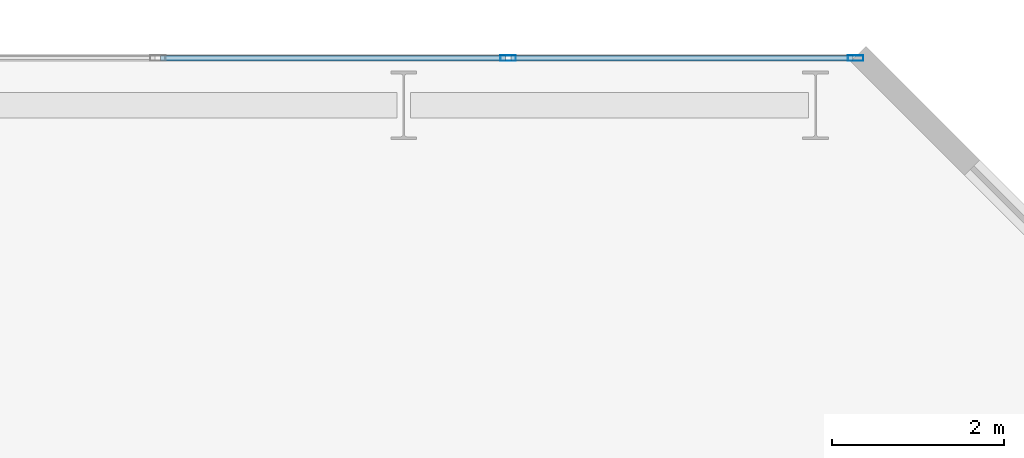
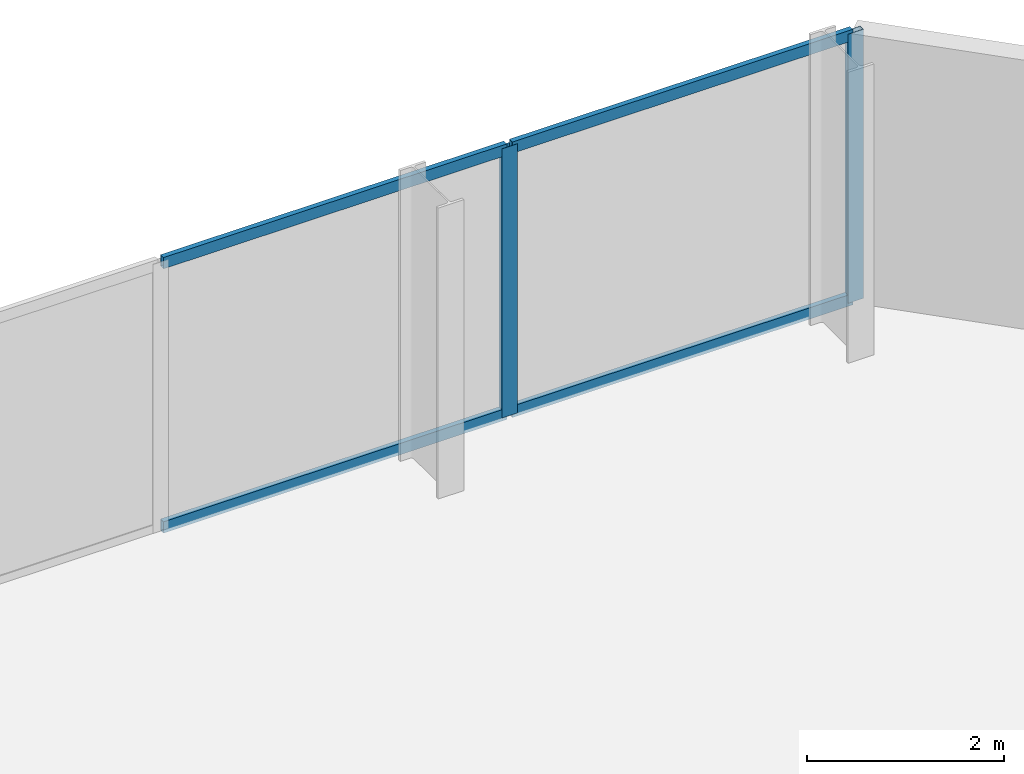
# One storey, part 27 of 33: 6 members, 1 element without a shape of its own.
"""IFC4 building model written with IfcOpenShell, lengths in metres."""

from ifc_helpers import new_model, si_unit, direction, frame, origin, origin_2d, place, context, subcontext, project, spatial, hollow_rectangle, extrude, material, layer, layer_set, material_profile, profile_set, type_object, element, aggregate, save


model = new_model("IFC4")

# Units and contexts
model_context = context("Model", 3, precision=1e-05, world=origin(), true_north=direction((0.0, 1.0)))
body_context = subcontext(model_context, "Body", "Model", "MODEL_VIEW")
ifc_project = project(units=[si_unit("LENGTHUNIT", "METRE"), si_unit("AREAUNIT", "SQUARE_METRE"), si_unit("VOLUMEUNIT", "CUBIC_METRE"), si_unit("PLANEANGLEUNIT", "RADIAN"), si_unit("MASSUNIT", "GRAM", prefix="KILO")], contexts=[model_context])

# Site, building, storey
site_placement = place(None, origin())
site = spatial("IfcSite", under=ifc_project, at=site_placement, CompositionType="ELEMENT")
building_placement = place(site_placement, origin())
building = spatial("IfcBuilding", under=site, at=building_placement, Name="Catumbela Crestline Tower", CompositionType="ELEMENT")
storey_placement = place(building_placement, frame((0.0, 0.0, 54.6)))
storey = spatial("IfcBuildingStorey", under=building, at=storey_placement, Name="L13", CompositionType="ELEMENT", Elevation=54.6)

# Curtain wall, members
ifc_material = material(Name="Aluminium alloy AW-6060-T66", Category="aluminium")
ifc_layer = layer(ifc_material, 0.18, Name="Aluminium alloy AW-6060-T66")
ifc_layer_set = layer_set([ifc_layer], Name="Aluminium alloy AW-6060-T66")
curtain_wall_type = type_object("IfcCurtainWallType", Name="CWU-Z1", PredefinedType="USERDEFINED", material=ifc_layer_set)
curtain_wall_placement = place(storey_placement, origin())
curtain_wall = element("IfcCurtainWall", 1, at=curtain_wall_placement, inside=storey, type_object=curtain_wall_type, Name="L13 Unitised Curtain Wall CW-L13-E7S1", ObjectType="UNITISED", PredefinedType="USERDEFINED")
ifc_material_profile_1 = material_profile(ifc_material, hollow_rectangle(XDim=0.065, YDim=0.18, WallThickness=0.004, at=origin_2d()), Name="ALU 180x65x4")
ifc_profile_set_1 = profile_set([ifc_material_profile_1], Name="Aluminium alloy AW-6060-T66")
member_type_1 = type_object("IfcMemberType", Name="MUL-180X65", PredefinedType="MULLION", material=ifc_profile_set_1)
member_1_placement = place(storey_placement, frame((52.4675, 47.95, 0.0), z_axis=(0.0, 0.0, 1.0), x_axis=(0.0, -1.0, 0.0)))
member_1 = element("IfcMember", 2, at=member_1_placement, type_object=member_type_1, Name="CWU-Z1 mullion 1", PredefinedType="MULLION", context=body_context, shape_type="SweptSolid", body=[
    extrude(hollow_rectangle(XDim=0.065, YDim=0.18, WallThickness=0.004, at=origin_2d()), origin(), (0.0, 0.0, 1.0), 3.33),
])
member_2_placement = place(storey_placement, frame((48.4167, 47.95, 0.0), z_axis=(0.0, 0.0, 1.0), x_axis=(0.0, -1.0, 0.0)))
member_2 = element("IfcMember", 3, at=member_2_placement, type_object=member_type_1, Name="CWU-Z1 mullion 2", PredefinedType="MULLION", context=body_context, shape_type="SweptSolid", body=[
    extrude(hollow_rectangle(XDim=0.065, YDim=0.18, WallThickness=0.004, at=origin_2d()), origin(), (0.0, 0.0, 1.0), 3.33),
])
ifc_material_profile_2 = material_profile(ifc_material, hollow_rectangle(XDim=0.06, YDim=0.14, WallThickness=0.004, at=origin_2d()), Name="ALU 140x60x4")
ifc_profile_set_2 = profile_set([ifc_material_profile_2], Name="Aluminium alloy AW-6060-T66")
member_type_2 = type_object("IfcMemberType", Name="TRN-140X60", PredefinedType="USERDEFINED", material=ifc_profile_set_2)
member_3_placement = place(storey_placement, frame((52.435, 47.95, 0.03), z_axis=(-1.0, 0.0, 0.0), x_axis=(0.0, -1.0, 0.0)))
member_3 = element("IfcMember", 4, at=member_3_placement, type_object=member_type_2, Name="CWU-Z1 transom 1.1", ObjectType="TRANSOM", PredefinedType="USERDEFINED", context=body_context, shape_type="SweptSolid", body=[
    extrude(hollow_rectangle(XDim=0.06, YDim=0.14, WallThickness=0.004, at=origin_2d()), origin(), (0.0, 0.0, 1.0), 3.9858),
])
member_4_placement = place(storey_placement, frame((52.435, 47.95, 3.3), z_axis=(-1.0, 0.0, 0.0), x_axis=(0.0, -1.0, 0.0)))
member_4 = element("IfcMember", 5, at=member_4_placement, type_object=member_type_2, Name="CWU-Z1 transom 1.2", ObjectType="TRANSOM", PredefinedType="USERDEFINED", context=body_context, shape_type="SweptSolid", body=[
    extrude(hollow_rectangle(XDim=0.06, YDim=0.14, WallThickness=0.004, at=origin_2d()), origin(), (0.0, 0.0, 1.0), 3.9858),
])
member_5_placement = place(storey_placement, frame((48.3842, 47.95, 0.03), z_axis=(-1.0, 0.0, 0.0), x_axis=(0.0, -1.0, 0.0)))
member_5 = element("IfcMember", 6, at=member_5_placement, type_object=member_type_2, Name="CWU-Z1 transom 2.1", ObjectType="TRANSOM", PredefinedType="USERDEFINED", context=body_context, shape_type="SweptSolid", body=[
    extrude(hollow_rectangle(XDim=0.06, YDim=0.14, WallThickness=0.004, at=origin_2d()), origin(), (0.0, 0.0, 1.0), 4.0184),
])
member_6_placement = place(storey_placement, frame((48.3842, 47.95, 3.3), z_axis=(-1.0, 0.0, 0.0), x_axis=(0.0, -1.0, 0.0)))
member_6 = element("IfcMember", 7, at=member_6_placement, type_object=member_type_2, Name="CWU-Z1 transom 2.2", ObjectType="TRANSOM", PredefinedType="USERDEFINED", context=body_context, shape_type="SweptSolid", body=[
    extrude(hollow_rectangle(XDim=0.06, YDim=0.14, WallThickness=0.004, at=origin_2d()), origin(), (0.0, 0.0, 1.0), 4.0184),
])
aggregate(curtain_wall, [member_1, member_2, member_3, member_4, member_5, member_6])

save(model, "model.ifc")
